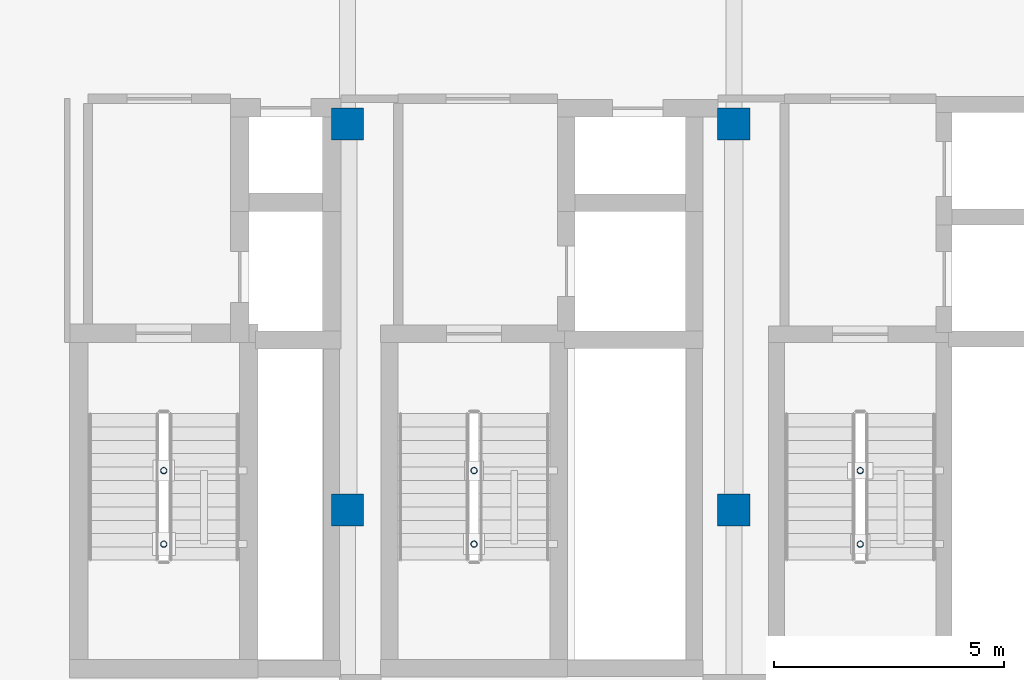
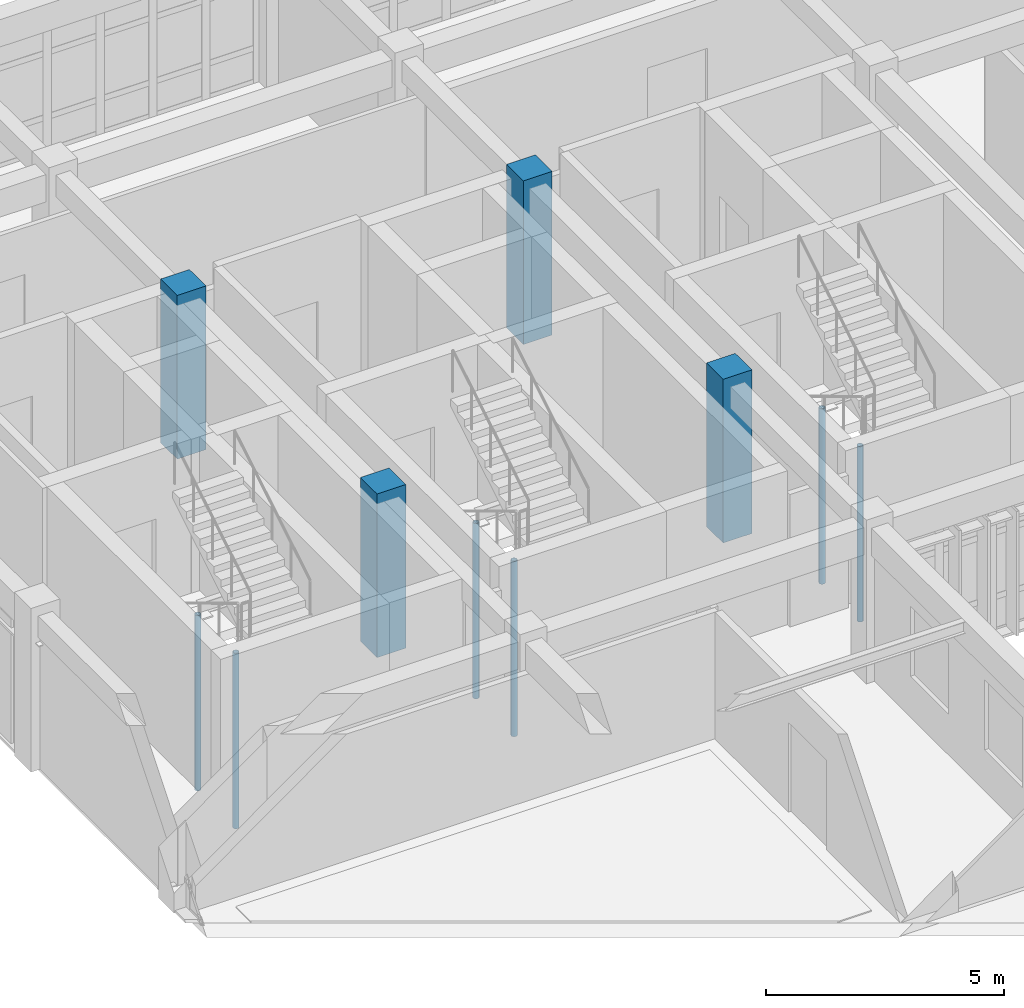
# One storey, part 2 of 23: 10 columns.
"""IFC4 building model written with IfcOpenShell, lengths in metres."""

from ifc_helpers import new_model, si_unit, direction, frame, origin, origin_2d, place, context, subcontext, project, spatial, rectangle, hollow_circle, extrude, material, material_profile, profile_set, type_object, element, save


model = new_model("IFC4")

# Units and contexts
model_context = context("Model", 3, precision=1e-05, world=origin(), true_north=direction((0.0, 1.0)))
body_context = subcontext(model_context, "Body", "Model", "MODEL_VIEW")
ifc_project = project(units=[si_unit("LENGTHUNIT", "METRE"), si_unit("AREAUNIT", "SQUARE_METRE"), si_unit("VOLUMEUNIT", "CUBIC_METRE"), si_unit("PLANEANGLEUNIT", "RADIAN"), si_unit("MASSUNIT", "GRAM", prefix="KILO")], contexts=[model_context])

# Site, building, storey
site_placement = place(None, origin())
site = spatial("IfcSite", under=ifc_project, at=site_placement, CompositionType="ELEMENT")
building_placement = place(site_placement, origin())
building = spatial("IfcBuilding", under=site, at=building_placement, Name="Krzemoval Escarpment Law Courts", CompositionType="ELEMENT")
storey_placement = place(building_placement, frame((0.0, 0.0, 25.199951171875)))
storey = spatial("IfcBuildingStorey", under=building, at=storey_placement, Name="L05", CompositionType="ELEMENT", Elevation=25.199951171875)

# Columns
ifc_material_1 = material(Name="Concrete C40/50", Category="concrete")
ifc_material_profile_1 = material_profile(ifc_material_1, rectangle(XDim=0.699951171875, YDim=0.699951171875, at=origin_2d()), Name="RC 700x700")
ifc_profile_set_1 = profile_set([ifc_material_profile_1], Name="Concrete C40/50")
column_type_1 = type_object("IfcColumnType", Name="COL-RC-700", PredefinedType="COLUMN", material=ifc_profile_set_1)
for number, where, z_axis, x_axis, name in (
    (1, (134.39990234375, 99.60009765625, 0.0), (0.0, 0.0, 1.0), (1.0, 0.0, 0.0), "Column FC-L05-1256"),
    (2, (134.39990234375, 108.0, 0.0), (0.0, 0.0, 1.0), (1.0, 0.0, 0.0), "Column FC-L05-1257"),
    (3, (142.800048828125, 99.60009765625, 0.0), (0.0, 0.0, 1.0), (1.0, 0.0, 0.0), "Column FC-L05-1262"),
    (4, (142.800048828125, 108.0, 0.0), (0.0, 0.0, 1.0), (1.0, 0.0, 0.0), "Column FC-L05-1263"),
):
    element("IfcColumn", number, at=place(storey_placement, frame(where, z_axis=z_axis, x_axis=x_axis)), inside=storey, type_object=column_type_1, Name=name, PredefinedType="COLUMN", context=body_context, shape_type="SweptSolid", body=[
        extrude(rectangle(XDim=0.699951171875, YDim=0.699951171875, at=origin_2d()), origin(), (0.0, 0.0, 1.0), 4.199951171875),
    ])
ifc_material_2 = material(Name="Steel S355", Category="steel")
ifc_material_profile_2 = material_profile(ifc_material_2, hollow_circle(Radius=0.06982421875, WallThickness=0.008056640625, at=origin_2d()), Name="CHS 139.7x8")
ifc_profile_set_2 = profile_set([ifc_material_profile_2], Name="Steel S355")
column_type_2 = type_object("IfcColumnType", Name="COL-S355-CHS140", PredefinedType="COLUMN", material=ifc_profile_set_2)
for number, where, z_axis, x_axis, name in (
    (5, (130.39990234375, 98.860107421875, -2.829833984375), (0.0, 0.0, 1.0), (1.0, 0.0, 0.0), "Stair Well Post SCP-C1-L05-1"),
    (6, (130.39990234375, 100.4599609375, -2.829833984375), (0.0, 0.0, 1.0), (1.0, 0.0, 0.0), "Stair Well Post SCP-C1-L05-2"),
    (7, (137.14990234375, 98.860107421875, -2.829833984375), (0.0, 0.0, 1.0), (1.0, 0.0, 0.0), "Stair Well Post SCP-C2-L05-1"),
    (8, (137.14990234375, 100.4599609375, -2.829833984375), (0.0, 0.0, 1.0), (1.0, 0.0, 0.0), "Stair Well Post SCP-C2-L05-2"),
    (9, (145.550048828125, 98.860107421875, -2.829833984375), (0.0, 0.0, 1.0), (1.0, 0.0, 0.0), "Stair Well Post SCP-C3-L05-1"),
    (10, (145.550048828125, 100.4599609375, -2.829833984375), (0.0, 0.0, 1.0), (1.0, 0.0, 0.0), "Stair Well Post SCP-C3-L05-2"),
):
    element("IfcColumn", number, at=place(storey_placement, frame(where, z_axis=z_axis, x_axis=x_axis)), inside=storey, type_object=column_type_2, Name=name, PredefinedType="COLUMN", context=body_context, shape_type="SweptSolid", body=[
        extrude(hollow_circle(Radius=0.06982421875, WallThickness=0.008056640625, at=origin_2d()), origin(), (0.0, 0.0, 1.0), 4.5),
    ])

save(model, "model.ifc")
